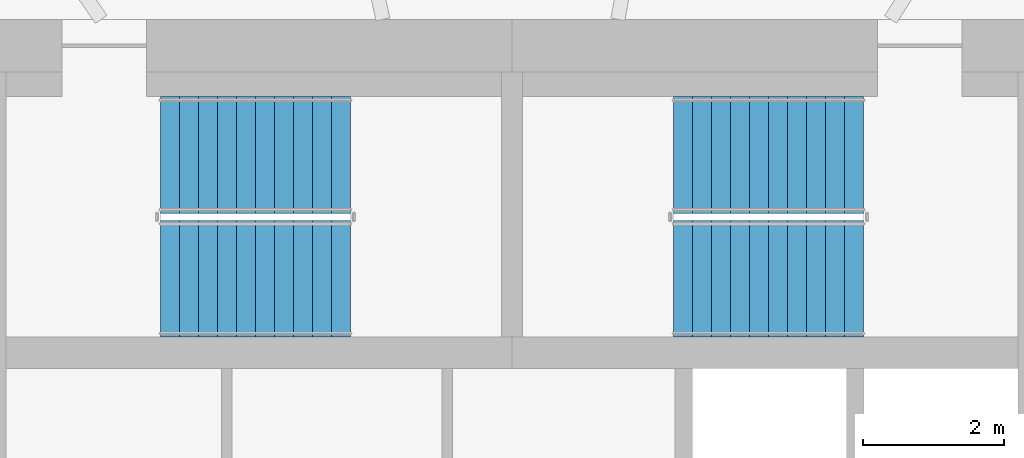
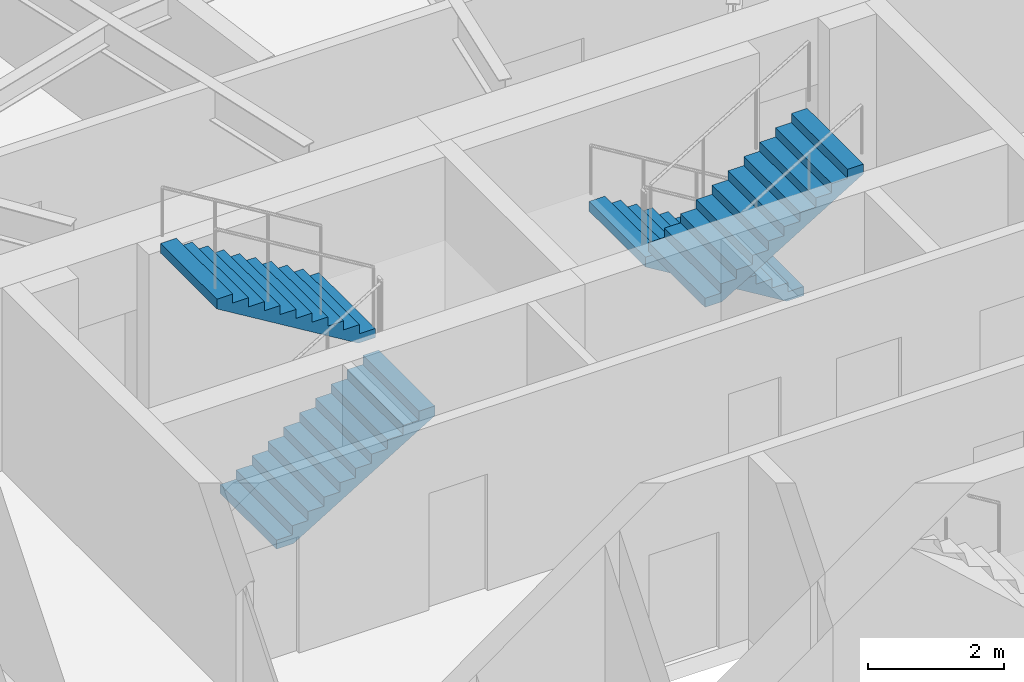
# One storey, part 11 of 14: 4 stair flights, 2 elements without a shape of their own.
"""IFC4 building model written with IfcOpenShell, lengths in metres."""

from ifc_helpers import new_model, si_unit, direction, frame, origin, place, context, subcontext, project, spatial, polyline, outline, extrude, material, type_object, element, aggregate, save


model = new_model("IFC4")

# Units and contexts
model_context = context("Model", 3, precision=1e-05, world=origin(), true_north=direction((0.0, 1.0)))
body_context = subcontext(model_context, "Body", "Model", "MODEL_VIEW")
ifc_project = project(units=[si_unit("LENGTHUNIT", "METRE"), si_unit("AREAUNIT", "SQUARE_METRE"), si_unit("VOLUMEUNIT", "CUBIC_METRE"), si_unit("PLANEANGLEUNIT", "RADIAN"), si_unit("MASSUNIT", "GRAM", prefix="KILO")], contexts=[model_context])

# Site, building, storey
site_placement = place(None, origin())
site = spatial("IfcSite", under=ifc_project, at=site_placement, CompositionType="ELEMENT")
building_placement = place(site_placement, origin())
building = spatial("IfcBuilding", under=site, at=building_placement, Name="Vermilion Reach Broadcast Tower", CompositionType="ELEMENT")
storey_placement = place(building_placement, frame((0.0, 0.0, 202.89990234375)))
storey = spatial("IfcBuildingStorey", under=building, at=storey_placement, Name="L49", CompositionType="ELEMENT", Elevation=202.89990234375)

# Stair, stair flights
ifc_material_1 = material(Name="Concrete C40", Category="concrete")
stair_type = type_object("IfcStairType", Name="Exit stair RC 22 risers 164 mm", PredefinedType="HALF_TURN_STAIR", material=ifc_material_1)
placement = place(storey_placement, origin())
stair_1 = element("IfcStair", 1, at=placement, inside=storey, type_object=stair_type, Name="L49 Exit stair ST1", PredefinedType="HALF_TURN_STAIR")
ifc_material_2 = material(Name="Concrete C40", Category="concrete")
stair_flight_type = type_object("IfcStairFlightType", Name="Exit stair flight RC 11 risers", PredefinedType="STRAIGHT", material=ifc_material_2)
stair_flight_1_placement = place(storey_placement, frame((-11.0, 4.7099609375, 0.0), z_axis=(0.0, 0.0, 1.0), x_axis=(1.0, 0.0, 0.0)))
stair_flight_1 = element("IfcStairFlight", 2, at=stair_flight_1_placement, type_object=stair_flight_type, Name="ST1 flight 1", NumberOfRisers=11, NumberOfTreads=10, PredefinedType="STRAIGHT", RiserHeight=0.163636364, TreadLength=0.27, context=body_context, shape_type="SweptSolid", body=[
    extrude(outline(polyline([(0.0, 0.0), (0.0, 0.16357421875), (0.27001953125, 0.16357421875), (0.27001953125, 0.327392578125), (0.5400390625, 0.327392578125), (0.5400390625, 0.490966796875), (0.81005859375, 0.490966796875), (0.81005859375, 0.654541015625), (1.080078125, 0.654541015625), (1.080078125, 0.818115234375), (1.35009765625, 0.818115234375), (1.35009765625, 0.98193359375), (1.6201171875, 0.98193359375), (1.6201171875, 1.1455078125), (1.889892578125, 1.1455078125), (1.889892578125, 1.30908203125), (2.159912109375, 1.30908203125), (2.159912109375, 1.47265625), (2.429931640625, 1.47265625), (2.429931640625, 1.636474609375), (2.699951171875, 1.636474609375), (2.699951171875, 1.800048828125), (2.699951171875, 1.461181640625), (0.289306640625, 0.0), (0.0, 0.0)])), frame((0.0, 0.830078125, 0.0), z_axis=(0.0, -1.0, 0.0), x_axis=(1.0, 0.0, 0.0)), (0.0, 0.0, 1.0), 1.659912109375),
])
stair_flight_2_placement = place(storey_placement, frame((-8.300048828125, 6.469970703125, 1.800048828125), z_axis=(0.0, 0.0, 1.0), x_axis=(-1.0, 0.0, 0.0)))
stair_flight_2 = element("IfcStairFlight", 3, at=stair_flight_2_placement, type_object=stair_flight_type, Name="ST1 flight 2", NumberOfRisers=11, NumberOfTreads=10, PredefinedType="STRAIGHT", RiserHeight=0.163636364, TreadLength=0.27, context=body_context, shape_type="SweptSolid", body=[
    extrude(outline(polyline([(0.0, 0.0), (0.0, 0.16357421875), (0.27001953125, 0.16357421875), (0.27001953125, 0.327392578125), (0.5400390625, 0.327392578125), (0.5400390625, 0.490966796875), (0.81005859375, 0.490966796875), (0.81005859375, 0.654541015625), (1.080078125, 0.654541015625), (1.080078125, 0.818115234375), (1.35009765625, 0.818115234375), (1.35009765625, 0.98193359375), (1.6201171875, 0.98193359375), (1.6201171875, 1.1455078125), (1.889892578125, 1.1455078125), (1.889892578125, 1.30908203125), (2.159912109375, 1.30908203125), (2.159912109375, 1.47265625), (2.429931640625, 1.47265625), (2.429931640625, 1.636474609375), (2.699951171875, 1.636474609375), (2.699951171875, 1.800048828125), (2.699951171875, 1.461181640625), (0.289306640625, 0.0), (0.0, 0.0)])), frame((0.0, 0.830078125, 0.0), z_axis=(0.0, -1.0, 0.0), x_axis=(1.0, 0.0, 0.0)), (0.0, 0.0, 1.0), 1.659912109375),
])
aggregate(stair_1, [stair_flight_1, stair_flight_2])

stair_2 = element("IfcStair", 4, at=placement, inside=storey, type_object=stair_type, Name="L49 Exit stair ST2", PredefinedType="HALF_TURN_STAIR")
stair_flight_3_placement = place(storey_placement, frame((-1.0, 6.469970703125, 0.0), z_axis=(0.0, 0.0, 1.0), x_axis=(-1.0, 0.0, 0.0)))
stair_flight_3 = element("IfcStairFlight", 5, at=stair_flight_3_placement, type_object=stair_flight_type, Name="ST2 flight 1", NumberOfRisers=11, NumberOfTreads=10, PredefinedType="STRAIGHT", RiserHeight=0.163636364, TreadLength=0.27, context=body_context, shape_type="SweptSolid", body=[
    extrude(outline(polyline([(0.0, 0.0), (0.0, 0.16357421875), (0.27001953125, 0.16357421875), (0.27001953125, 0.327392578125), (0.5400390625, 0.327392578125), (0.5400390625, 0.490966796875), (0.81005859375, 0.490966796875), (0.81005859375, 0.654541015625), (1.080078125, 0.654541015625), (1.080078125, 0.818115234375), (1.35009765625, 0.818115234375), (1.35009765625, 0.98193359375), (1.6201171875, 0.98193359375), (1.6201171875, 1.1455078125), (1.889892578125, 1.1455078125), (1.889892578125, 1.30908203125), (2.159912109375, 1.30908203125), (2.159912109375, 1.47265625), (2.429931640625, 1.47265625), (2.429931640625, 1.636474609375), (2.699951171875, 1.636474609375), (2.699951171875, 1.800048828125), (2.699951171875, 1.461181640625), (0.289306640625, 0.0), (0.0, 0.0)])), frame((0.0, 0.830078125, 0.0), z_axis=(0.0, -1.0, 0.0), x_axis=(1.0, 0.0, 0.0)), (0.0, 0.0, 1.0), 1.659912109375),
])
stair_flight_4_placement = place(storey_placement, frame((-3.699951171875, 4.7099609375, 1.800048828125), z_axis=(0.0, 0.0, 1.0), x_axis=(1.0, 0.0, 0.0)))
stair_flight_4 = element("IfcStairFlight", 6, at=stair_flight_4_placement, type_object=stair_flight_type, Name="ST2 flight 2", NumberOfRisers=11, NumberOfTreads=10, PredefinedType="STRAIGHT", RiserHeight=0.163636364, TreadLength=0.27, context=body_context, shape_type="SweptSolid", body=[
    extrude(outline(polyline([(0.0, 0.0), (0.0, 0.16357421875), (0.27001953125, 0.16357421875), (0.27001953125, 0.327392578125), (0.5400390625, 0.327392578125), (0.5400390625, 0.490966796875), (0.81005859375, 0.490966796875), (0.81005859375, 0.654541015625), (1.080078125, 0.654541015625), (1.080078125, 0.818115234375), (1.35009765625, 0.818115234375), (1.35009765625, 0.98193359375), (1.6201171875, 0.98193359375), (1.6201171875, 1.1455078125), (1.889892578125, 1.1455078125), (1.889892578125, 1.30908203125), (2.159912109375, 1.30908203125), (2.159912109375, 1.47265625), (2.429931640625, 1.47265625), (2.429931640625, 1.636474609375), (2.699951171875, 1.636474609375), (2.699951171875, 1.800048828125), (2.699951171875, 1.461181640625), (0.289306640625, 0.0), (0.0, 0.0)])), frame((0.0, 0.830078125, 0.0), z_axis=(0.0, -1.0, 0.0), x_axis=(1.0, 0.0, 0.0)), (0.0, 0.0, 1.0), 1.659912109375),
])
aggregate(stair_2, [stair_flight_3, stair_flight_4])

save(model, "model.ifc")
